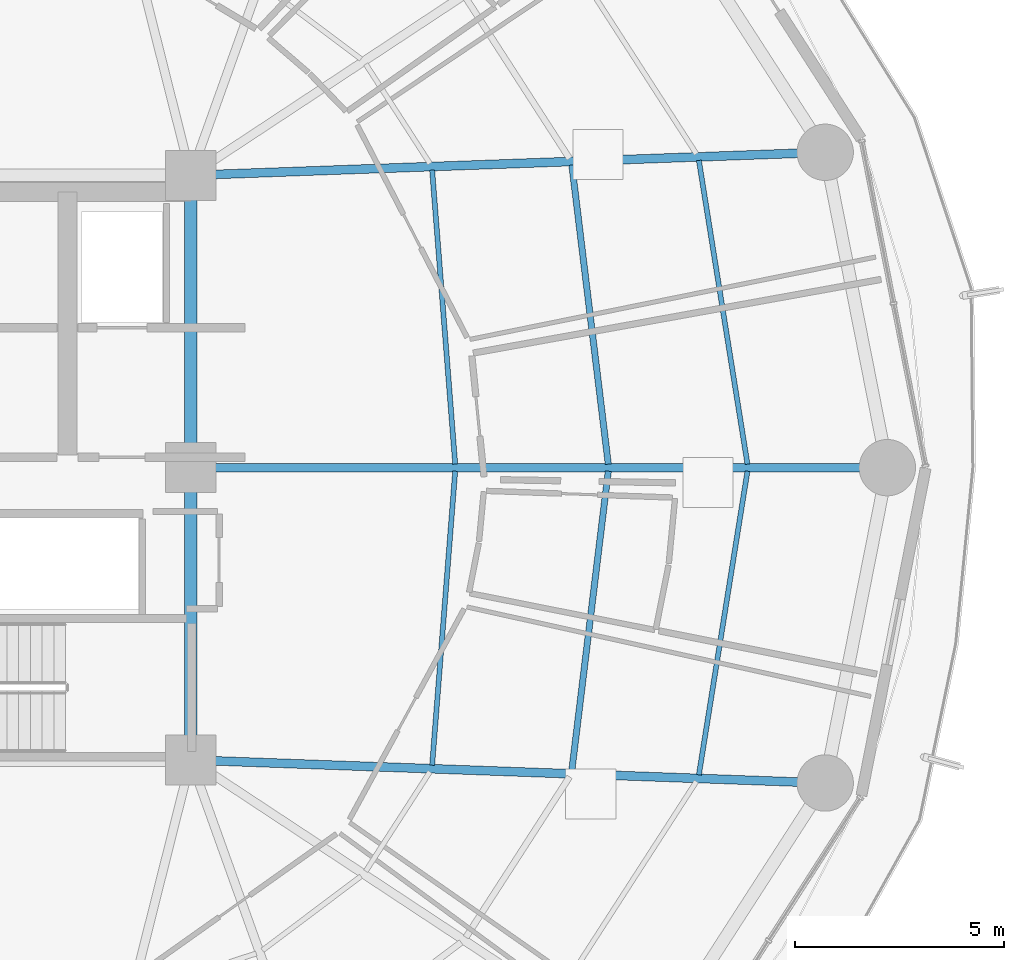
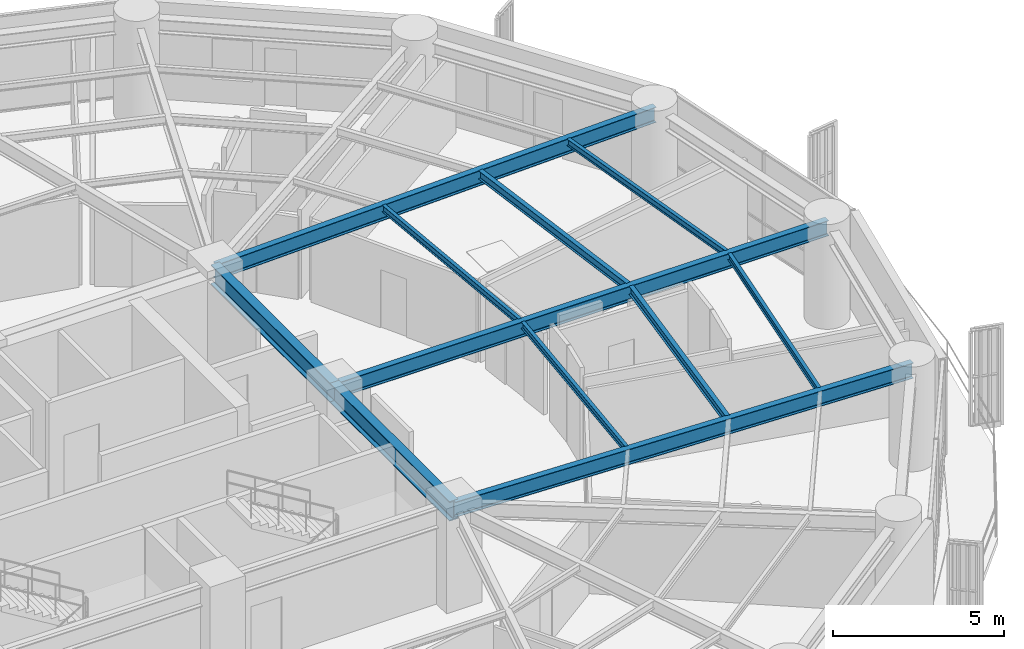
# One storey, part 15 of 35: 11 beams.
"""IFC4 building model written with IfcOpenShell, lengths in metres."""

from ifc_helpers import new_model, si_unit, direction, frame, origin, origin_2d, place, context, subcontext, project, spatial, i_section, extrude, material, material_profile, profile_set, type_object, element, save


model = new_model("IFC4")

# Units and contexts
model_context = context("Model", 3, precision=1e-05, world=origin(), true_north=direction((0.0, 1.0)))
body_context = subcontext(model_context, "Body", "Model", "MODEL_VIEW")
ifc_project = project(units=[si_unit("LENGTHUNIT", "METRE"), si_unit("AREAUNIT", "SQUARE_METRE"), si_unit("VOLUMEUNIT", "CUBIC_METRE"), si_unit("PLANEANGLEUNIT", "RADIAN"), si_unit("MASSUNIT", "GRAM", prefix="KILO")], contexts=[model_context])

# Site, building, storey
site_placement = place(None, origin())
site = spatial("IfcSite", under=ifc_project, at=site_placement, CompositionType="ELEMENT")
building_placement = place(site_placement, origin())
building = spatial("IfcBuilding", under=site, at=building_placement, Name="Kelanora Arch Commons", CompositionType="ELEMENT")
storey_placement = place(building_placement, frame((0.0, 0.0, 117.60009765625)))
storey = spatial("IfcBuildingStorey", under=building, at=storey_placement, Name="L30", CompositionType="ELEMENT", Elevation=117.60009765625)

# Beams
ifc_material = material(Name="Steel S355", Category="steel")
ifc_material_profile_1 = material_profile(ifc_material, i_section(OverallWidth=0.300048828125, OverallDepth=0.699951171875, WebThickness=0.01708984375, FlangeThickness=0.031982421875, FilletRadius=0.027099609375, at=origin_2d()), Name="HEB700")
ifc_profile_set_1 = profile_set([ifc_material_profile_1], Name="Steel S355")
beam_type_1 = type_object("IfcBeamType", Name="BM-CORE-HDR", PredefinedType="BEAM", material=ifc_profile_set_1)
for number, where, z_axis, x_axis, name in (
    (1, (82.0, 51.0, 3.139892578125), (0.0, 1.0, 0.0), (-1.0, 0.0, 0.0), "Core Header Beam 03 L30"),
    (2, (82.0, 58.0, 3.139892578125), (0.0, 1.0, 0.0), (-1.0, 0.0, 0.0), "Core Header Beam 04 L30"),
):
    element("IfcBeam", number, at=place(storey_placement, frame(where, z_axis=z_axis, x_axis=x_axis)), inside=storey, type_object=beam_type_1, Name=name, PredefinedType="BEAM", context=body_context, shape_type="SweptSolid", body=[
        extrude(i_section(OverallWidth=0.300048828125, OverallDepth=0.699951171875, WebThickness=0.01708984375, FlangeThickness=0.031982421875, FilletRadius=0.027099609375, at=origin_2d()), origin(), (0.0, 0.0, 1.0), 7.0),
    ])
ifc_material_profile_2 = material_profile(ifc_material, i_section(OverallWidth=0.14990234375, OverallDepth=0.300048828125, WebThickness=0.007080078125, FlangeThickness=0.0107421875, FilletRadius=0.014892578125, at=origin_2d()), Name="IPE300")
ifc_profile_set_2 = profile_set([ifc_material_profile_2], Name="Steel S355")
beam_type_2 = type_object("IfcBeamType", Name="BM-JST-01", PredefinedType="JOIST", material=ifc_profile_set_2)
for number, where, z_axis, x_axis, name in (
    (3, (91.997802734375, 58.08447265625, 3.33984375), (-0.120935645266, 0.992660349618, 0.0), (-0.992660349618, -0.120935645266, 0.0), "Secondary Chord Joist BJB-00 L30"),
    (4, (91.125244140625, 50.75341796875, 3.33984375), (0.120935645266, 0.992660349618, 0.0), (-0.992660349618, 0.120935645266, 0.0), "Secondary Chord Joist BJB-34 L30"),
):
    element("IfcBeam", number, at=place(storey_placement, frame(where, z_axis=z_axis, x_axis=x_axis)), inside=storey, type_object=beam_type_2, Name=name, PredefinedType="JOIST", context=body_context, shape_type="SweptSolid", body=[
        extrude(i_section(OverallWidth=0.14990234375, OverallDepth=0.300048828125, WebThickness=0.007080078125, FlangeThickness=0.0107421875, FilletRadius=0.014892578125, at=origin_2d()), origin(), (0.0, 0.0, 1.0), 7.215087890625),
    ])
ifc_material_profile_3 = material_profile(ifc_material, i_section(OverallWidth=0.1201171875, OverallDepth=0.239990234375, WebThickness=0.006103515625, FlangeThickness=0.009765625, FilletRadius=0.014892578125, at=origin_2d()), Name="IPE240")
ifc_profile_set_3 = profile_set([ifc_material_profile_3], Name="Steel S355")
beam_type_3 = type_object("IfcBeamType", Name="BM-JST-02", PredefinedType="JOIST", material=ifc_profile_set_3)
beam_1_placement = place(storey_placement, frame((88.331787109375, 58.084716796875, 3.369873046875), z_axis=(-0.078200677502, 0.996937637989, 0.0), x_axis=(-0.996937637989, -0.078200677502, 0.0)))
element("IfcBeam", 5, at=beam_1_placement, inside=storey, type_object=beam_type_3, Name="Secondary Chord Joist BJA-00 L30", PredefinedType="JOIST", context=body_context, shape_type="SweptSolid", body=[
    extrude(i_section(OverallWidth=0.1201171875, OverallDepth=0.239990234375, WebThickness=0.006103515625, FlangeThickness=0.009765625, FilletRadius=0.014892578125, at=origin_2d()), origin(), (0.0, 0.0, 1.0), 7.06201171875),
])
beam_2_placement = place(storey_placement, frame((95.33056640625, 58.083984375, 3.369873046875), z_axis=(-0.157999549894, 0.987439184068, 0.0), x_axis=(-0.987439184068, -0.157999549894, 0.0)))
element("IfcBeam", 6, at=beam_2_placement, inside=storey, type_object=beam_type_3, Name="Secondary Chord Joist BJC-00 L30", PredefinedType="JOIST", context=body_context, shape_type="SweptSolid", body=[
    extrude(i_section(OverallWidth=0.1201171875, OverallDepth=0.239990234375, WebThickness=0.006103515625, FlangeThickness=0.009765625, FilletRadius=0.014892578125, at=origin_2d()), origin(), (0.0, 0.0, 1.0), 7.365966796875),
])
beam_3_placement = place(storey_placement, frame((87.779541015625, 50.875, 3.369873046875), z_axis=(0.078200677502, 0.996937637989, 0.0), x_axis=(-0.996937637989, 0.078200677502, 0.0)))
element("IfcBeam", 7, at=beam_3_placement, inside=storey, type_object=beam_type_3, Name="Secondary Chord Joist BJA-34 L30", PredefinedType="JOIST", context=body_context, shape_type="SweptSolid", body=[
    extrude(i_section(OverallWidth=0.1201171875, OverallDepth=0.239990234375, WebThickness=0.006103515625, FlangeThickness=0.009765625, FilletRadius=0.014892578125, at=origin_2d()), origin(), (0.0, 0.0, 1.0), 7.06201171875),
])
beam_4_placement = place(storey_placement, frame((94.166748046875, 50.642578125, 3.369873046875), z_axis=(0.157999549894, 0.987439184068, 0.0), x_axis=(-0.987439184068, 0.157999549894, 0.0)))
element("IfcBeam", 8, at=beam_4_placement, inside=storey, type_object=beam_type_3, Name="Secondary Chord Joist BJC-34 L30", PredefinedType="JOIST", context=body_context, shape_type="SweptSolid", body=[
    extrude(i_section(OverallWidth=0.1201171875, OverallDepth=0.239990234375, WebThickness=0.006103515625, FlangeThickness=0.009765625, FilletRadius=0.014892578125, at=origin_2d()), origin(), (0.0, 0.0, 1.0), 7.365966796875),
])
ifc_material_profile_4 = material_profile(ifc_material, i_section(OverallWidth=0.2099609375, OverallDepth=0.550048828125, WebThickness=0.010986328125, FlangeThickness=0.01708984375, FilletRadius=0.02392578125, at=origin_2d()), Name="IPE550")
ifc_profile_set_4 = profile_set([ifc_material_profile_4], Name="Steel S355")
beam_type_4 = type_object("IfcBeamType", Name="BM-RAD-Z2", PredefinedType="BEAM", material=ifc_profile_set_4)
beam_5_placement = place(storey_placement, frame((82.0, 58.0, 3.21484375), z_axis=(1.0, 0.0, 0.0), x_axis=(0.0, 1.0, 0.0)))
element("IfcBeam", 9, at=beam_5_placement, inside=storey, type_object=beam_type_4, Name="Radial Floor Girder BR-00 L30", PredefinedType="BEAM", context=body_context, shape_type="SweptSolid", body=[
    extrude(i_section(OverallWidth=0.2099609375, OverallDepth=0.550048828125, WebThickness=0.010986328125, FlangeThickness=0.01708984375, FilletRadius=0.02392578125, at=origin_2d()), origin(), (0.0, 0.0, 1.0), 16.679931640625),
])
for number, where, z_axis, x_axis, name in (
    (10, (82.0, 65.0, 3.21484375), (0.999341087625, 0.036295875581, 0.0), (-0.036295875581, 0.999341087625, 0.0), "Radial Floor Girder BR-02 L30"),
    (11, (82.0, 51.0, 3.21484375), (0.999341087625, -0.036295875581, 0.0), (0.036295875581, 0.999341087625, 0.0), "Radial Floor Girder BR-34 L30"),
):
    element("IfcBeam", number, at=place(storey_placement, frame(where, z_axis=z_axis, x_axis=x_axis)), inside=storey, type_object=beam_type_4, Name=name, PredefinedType="BEAM", context=body_context, shape_type="SweptSolid", body=[
        extrude(i_section(OverallWidth=0.2099609375, OverallDepth=0.550048828125, WebThickness=0.010986328125, FlangeThickness=0.01708984375, FilletRadius=0.02392578125, at=origin_2d()), origin(), (0.0, 0.0, 1.0), 15.20166015625),
    ])

save(model, "model.ifc")
